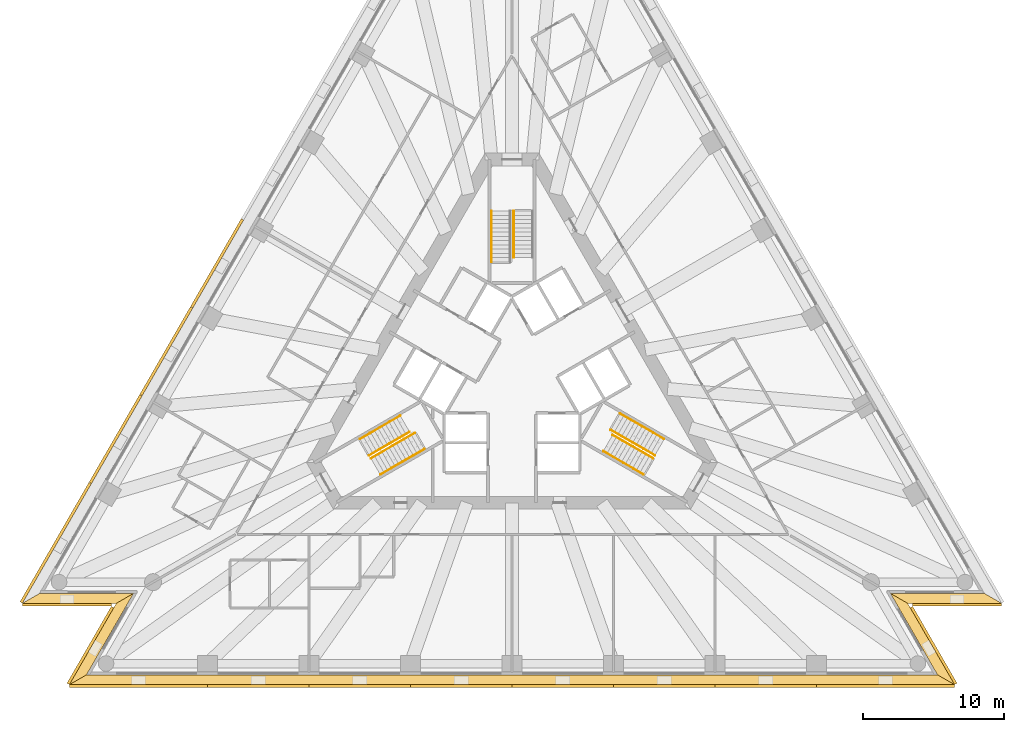
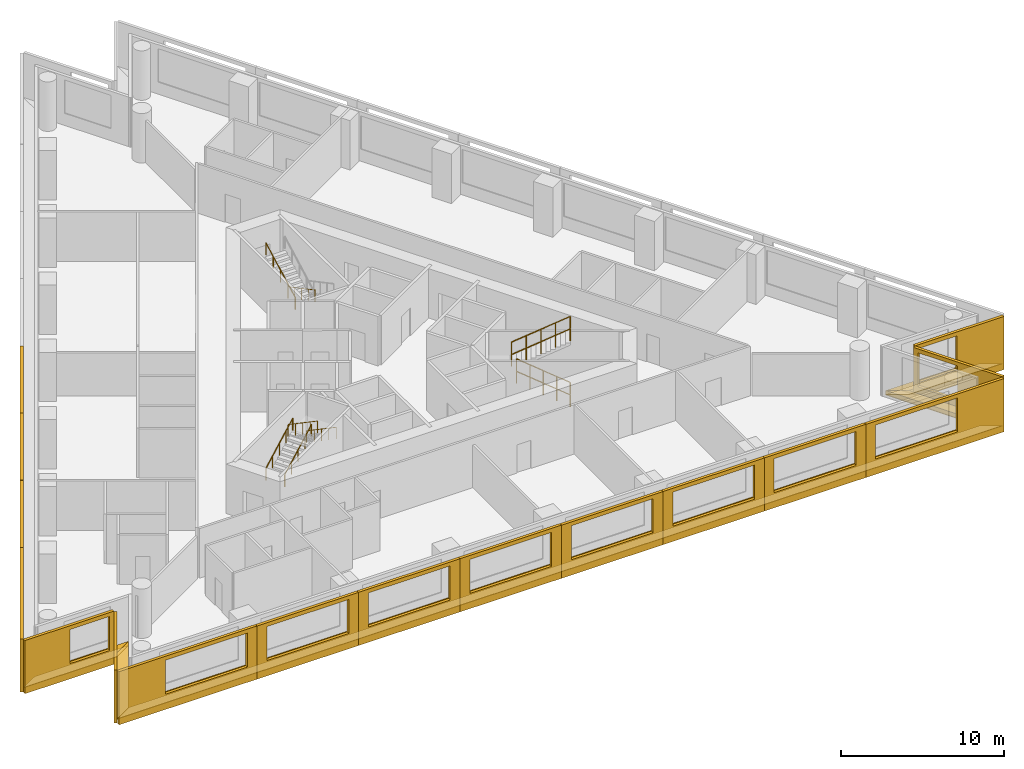
# One storey, part 10 of 11: 21 shading devices, 10 railings, 5 coverings, 3 elements without a shape of their own.
"""IFC4 building model written with IfcOpenShell, lengths in metres."""

from ifc_helpers import new_model, si_unit, direction, frame, origin, origin_2d, place, context, subcontext, project, spatial, polyline, circle, outline, extrude, material, layer, layer_set, layer_usage, type_object, element, aggregate, save


model = new_model("IFC4")

# Units and contexts
model_context = context("Model", 3, precision=1e-05, world=origin(), true_north=direction((0.0, 1.0)))
body_context = subcontext(model_context, "Body", "Model", "MODEL_VIEW")
ifc_project = project(units=[si_unit("LENGTHUNIT", "METRE"), si_unit("AREAUNIT", "SQUARE_METRE"), si_unit("VOLUMEUNIT", "CUBIC_METRE"), si_unit("PLANEANGLEUNIT", "RADIAN"), si_unit("MASSUNIT", "GRAM", prefix="KILO")], contexts=[model_context])

# Site, building, storey
site_placement = place(None, origin())
site = spatial("IfcSite", under=ifc_project, at=site_placement, CompositionType="ELEMENT")
building_placement = place(site_placement, origin())
building = spatial("IfcBuilding", under=site, at=building_placement, Name="Triada Interchange Tower", CompositionType="ELEMENT")
storey_placement = place(building_placement, frame((0.0, 0.0, 83.300048828125)))
storey = spatial("IfcBuildingStorey", under=building, at=storey_placement, Name="L18", CompositionType="ELEMENT", Elevation=83.300048828125)

# Coverings
ifc_material_1 = material(Name="Mineral fire-stop board")
ifc_layer_1 = layer(ifc_material_1, 0.0400390625, Name="Mineral fire-stop board")
ifc_material_2 = material(Name="Intumescent sealant")
ifc_layer_2 = layer(ifc_material_2, 0.010009765625, Name="Intumescent seal")
ifc_layer_set_1 = layer_set([ifc_layer_1, ifc_layer_2], Name="Cavity fire stop")
ifc_layer_usage = layer_usage(ifc_layer_set_1, "AXIS3", "POSITIVE", 0.0)
covering_type = type_object("IfcCoveringType", Name="Cavity fire stop", PredefinedType="INSULATION", material=ifc_layer_set_1)
covering_1_placement = place(storey_placement, origin())
element("IfcCovering", 1, at=covering_1_placement, inside=storey, type_object=covering_type, material=ifc_layer_usage, Name="Cavity fire stop L18 SW-1", PredefinedType="INSULATION", context=body_context, shape_type="SweptSolid", body=[
    extrude(outline(polyline([(-33.445068359375, -15.469970703125), (-34.656982421875, -16.169921875), (-28.007080078125, -16.169921875), (-26.794921875, -15.469970703125), (-33.445068359375, -15.469970703125)])), origin(), (0.0, 0.0, 1.0), 0.050048828125),
])
covering_2_placement = place(storey_placement, origin())
element("IfcCovering", 2, at=covering_2_placement, inside=storey, type_object=covering_type, material=ifc_layer_usage, Name="Cavity fire stop L18 SW-2", PredefinedType="INSULATION", context=body_context, shape_type="SweptSolid", body=[
    extrude(outline(polyline([(-26.794921875, -15.469970703125), (-28.007080078125, -16.169921875), (-31.33203125, -21.928955078125), (-30.1201171875, -21.22900390625), (-26.794921875, -15.469970703125)])), origin(), (0.0, 0.0, 1.0), 0.050048828125),
])
covering_3_placement = place(storey_placement, origin())
element("IfcCovering", 3, at=covering_3_placement, inside=storey, type_object=covering_type, material=ifc_layer_usage, Name="Cavity fire stop L18 S", PredefinedType="INSULATION", context=body_context, shape_type="SweptSolid", body=[
    extrude(outline(polyline([(-30.1201171875, -21.22900390625), (-31.33203125, -21.928955078125), (31.33203125, -21.928955078125), (30.1201171875, -21.22900390625), (-30.1201171875, -21.22900390625)])), origin(), (0.0, 0.0, 1.0), 0.050048828125),
])
covering_4_placement = place(storey_placement, origin())
element("IfcCovering", 4, at=covering_4_placement, inside=storey, type_object=covering_type, material=ifc_layer_usage, Name="Cavity fire stop L18 SE-1", PredefinedType="INSULATION", context=body_context, shape_type="SweptSolid", body=[
    extrude(outline(polyline([(30.1201171875, -21.22900390625), (31.33203125, -21.928955078125), (28.007080078125, -16.169921875), (26.794921875, -15.469970703125), (30.1201171875, -21.22900390625)])), origin(), (0.0, 0.0, 1.0), 0.050048828125),
])
covering_5_placement = place(storey_placement, origin())
element("IfcCovering", 5, at=covering_5_placement, inside=storey, type_object=covering_type, material=ifc_layer_usage, Name="Cavity fire stop L18 SE-2", PredefinedType="INSULATION", context=body_context, shape_type="SweptSolid", body=[
    extrude(outline(polyline([(26.794921875, -15.469970703125), (28.007080078125, -16.169921875), (34.656982421875, -16.169921875), (33.445068359375, -15.469970703125), (26.794921875, -15.469970703125)])), origin(), (0.0, 0.0, 1.0), 0.050048828125),
])

# Shading devices
ifc_material_3 = material(Name="Aluminium louvre", Category="aluminium")
shading_device_type_1 = type_object("IfcShadingDeviceType", Name="Cavity louvre grille", PredefinedType="JALOUSIE", material=ifc_material_3)
shading_device_1_placement = place(storey_placement, frame((0.0, 0.0, 0.050048828125)))
element("IfcShadingDevice", 6, at=shading_device_1_placement, inside=storey, type_object=shading_device_type_1, Name="Cavity louvre grille L18 SW-1", PredefinedType="JALOUSIE", context=body_context, shape_type="SweptSolid", body=[
    extrude(outline(polyline([(-33.445068359375, -15.469970703125), (-34.656982421875, -16.169921875), (-28.007080078125, -16.169921875), (-26.794921875, -15.469970703125), (-33.445068359375, -15.469970703125)])), origin(), (0.0, 0.0, 1.0), 0.2998046875),
])
shading_device_2_placement = place(storey_placement, frame((0.0, 0.0, 0.050048828125)))
element("IfcShadingDevice", 7, at=shading_device_2_placement, inside=storey, type_object=shading_device_type_1, Name="Cavity louvre grille L18 SW-2", PredefinedType="JALOUSIE", context=body_context, shape_type="SweptSolid", body=[
    extrude(outline(polyline([(-26.794921875, -15.469970703125), (-28.007080078125, -16.169921875), (-31.33203125, -21.928955078125), (-30.1201171875, -21.22900390625), (-26.794921875, -15.469970703125)])), origin(), (0.0, 0.0, 1.0), 0.2998046875),
])
shading_device_3_placement = place(storey_placement, frame((0.0, 0.0, 0.050048828125)))
element("IfcShadingDevice", 8, at=shading_device_3_placement, inside=storey, type_object=shading_device_type_1, Name="Cavity louvre grille L18 S", PredefinedType="JALOUSIE", context=body_context, shape_type="SweptSolid", body=[
    extrude(outline(polyline([(-30.1201171875, -21.22900390625), (-31.33203125, -21.928955078125), (31.33203125, -21.928955078125), (30.1201171875, -21.22900390625), (-30.1201171875, -21.22900390625)])), origin(), (0.0, 0.0, 1.0), 0.2998046875),
])
shading_device_4_placement = place(storey_placement, frame((0.0, 0.0, 0.050048828125)))
element("IfcShadingDevice", 9, at=shading_device_4_placement, inside=storey, type_object=shading_device_type_1, Name="Cavity louvre grille L18 SE-1", PredefinedType="JALOUSIE", context=body_context, shape_type="SweptSolid", body=[
    extrude(outline(polyline([(30.1201171875, -21.22900390625), (31.33203125, -21.928955078125), (28.007080078125, -16.169921875), (26.794921875, -15.469970703125), (30.1201171875, -21.22900390625)])), origin(), (0.0, 0.0, 1.0), 0.2998046875),
])
shading_device_5_placement = place(storey_placement, frame((0.0, 0.0, 0.050048828125)))
element("IfcShadingDevice", 10, at=shading_device_5_placement, inside=storey, type_object=shading_device_type_1, Name="Cavity louvre grille L18 SE-2", PredefinedType="JALOUSIE", context=body_context, shape_type="SweptSolid", body=[
    extrude(outline(polyline([(26.794921875, -15.469970703125), (28.007080078125, -16.169921875), (34.656982421875, -16.169921875), (33.445068359375, -15.469970703125), (26.794921875, -15.469970703125)])), origin(), (0.0, 0.0, 1.0), 0.2998046875),
])
ifc_material_4 = material(Name="Concrete C50/60 precast", Category="concrete")
ifc_layer_3 = layer(ifc_material_4, 0.02001953125, Name="Exposed aggregate face")
ifc_layer_4 = layer(ifc_material_4, 0.179931640625, Name="Precast concrete screen")
ifc_layer_set_2 = layer_set([ifc_layer_3, ifc_layer_4], Name="Outer skin screen panel 3980")
shading_device_type_2 = type_object("IfcShadingDeviceType", Name="Outer skin screen panel 3980", PredefinedType="SHUTTER", material=ifc_layer_set_2)
shading_device_6_placement = place(storey_placement, frame((-18.99609375, 10.9560546875, -0.2900390625), z_axis=(0.0, 0.0, 1.0), x_axis=(-0.499984023993, -0.86603462734, 0.0)))
element("IfcShadingDevice", 11, at=shading_device_6_placement, inside=storey, type_object=shading_device_type_2, Name="Outer skin screen panel L18 05", PredefinedType="SHUTTER", context=body_context, shape_type="SweptSolid", body=[
    extrude(outline(polyline([(0.0, 0.0), (7.163818359375, 0.0), (7.163818359375, 3.97998046875), (0.0, 3.97998046875), (0.0, 0.0)]), holes=[polyline([(0.681396484375, 1.139892578125), (0.681396484375, 3.68994140625), (6.4814453125, 3.68994140625), (6.4814453125, 1.139892578125), (0.681396484375, 1.139892578125)])]), frame((0.0, 0.0, 0.0), z_axis=(0.0, -1.0, 0.0), x_axis=(1.0, 0.0, 0.0)), (0.0, 0.0, 1.0), 0.199951171875),
])
shading_device_7_placement = place(storey_placement, frame((-22.587890625, 4.735107421875, -0.2900390625), z_axis=(0.0, 0.0, 1.0), x_axis=(-0.500009583697, -0.866019870564, 0.0)))
element("IfcShadingDevice", 12, at=shading_device_7_placement, inside=storey, type_object=shading_device_type_2, Name="Outer skin screen panel L18 06", PredefinedType="SHUTTER", context=body_context, shape_type="SweptSolid", body=[
    extrude(outline(polyline([(0.0, 0.0), (7.163818359375, 0.0), (7.163818359375, 3.97998046875), (0.0, 3.97998046875), (0.0, 0.0)]), holes=[polyline([(0.681884765625, 1.139892578125), (0.681884765625, 3.68994140625), (6.48193359375, 3.68994140625), (6.48193359375, 1.139892578125), (0.681884765625, 1.139892578125)])]), frame((0.0, 0.0, 0.0), z_axis=(0.0, -1.0, 0.0), x_axis=(1.0, 0.0, 0.0)), (0.0, 0.0, 1.0), 0.199951171875),
])
shading_device_8_placement = place(storey_placement, frame((-26.179931640625, -1.486083984375, -0.2900390625), z_axis=(0.0, 0.0, 1.0), x_axis=(-0.499922093299, -0.866070378567, 0.0)))
element("IfcShadingDevice", 13, at=shading_device_8_placement, inside=storey, type_object=shading_device_type_2, Name="Outer skin screen panel L18 07", PredefinedType="SHUTTER", context=body_context, shape_type="SweptSolid", body=[
    extrude(outline(polyline([(0.0, 0.0), (7.163330078125, 0.0), (7.163330078125, 3.97998046875), (0.0, 3.97998046875), (0.0, 0.0)]), holes=[polyline([(0.681396484375, 1.139892578125), (0.681396484375, 3.68994140625), (6.4814453125, 3.68994140625), (6.4814453125, 1.139892578125), (0.681396484375, 1.139892578125)])]), frame((0.0, 0.0, 0.0), z_axis=(0.0, -1.0, 0.0), x_axis=(1.0, 0.0, 0.0)), (0.0, 0.0, 1.0), 0.199951171875),
])
shading_device_9_placement = place(storey_placement, frame((-29.77099609375, -7.70703125, -0.2900390625), z_axis=(0.0, 0.0, 1.0), x_axis=(-0.500020487159, -0.866013575194, 0.0)))
element("IfcShadingDevice", 14, at=shading_device_9_placement, inside=storey, type_object=shading_device_type_2, Name="Outer skin screen panel L18 08", PredefinedType="SHUTTER", context=body_context, shape_type="SweptSolid", body=[
    extrude(outline(polyline([(0.0, 0.0), (9.76171875, 0.0), (9.76171875, 3.97998046875), (0.0, 3.97998046875), (0.0, 0.0)]), holes=[polyline([(0.681884765625, 1.139892578125), (0.681884765625, 3.68994140625), (6.481689453125, 3.68994140625), (6.481689453125, 1.139892578125), (0.681884765625, 1.139892578125)])]), frame((0.0, 0.0, 0.0), z_axis=(0.0, -1.0, 0.0), x_axis=(1.0, 0.0, 0.0)), (0.0, 0.0, 1.0), 0.199951171875),
])
shading_device_10_placement = place(storey_placement, frame((-34.64697265625, -16.169921875, -0.2900390625), z_axis=(0.0, 0.0, 1.0), x_axis=(1.0, 0.0, 0.0)))
element("IfcShadingDevice", 15, at=shading_device_10_placement, inside=storey, type_object=shading_device_type_2, Name="Outer skin screen panel L18 09", PredefinedType="SHUTTER", context=body_context, shape_type="SweptSolid", body=[
    extrude(outline(polyline([(0.0, 0.0), (6.282958984375, 0.0), (6.282958984375, 3.97998046875), (0.0, 3.97998046875), (0.0, 0.0)]), holes=[polyline([(3.175048828125, 1.139892578125), (3.175048828125, 3.68994140625), (5.98291015625, 3.68994140625), (5.98291015625, 1.139892578125), (3.175048828125, 1.139892578125)])]), frame((0.0, 0.0, 0.0), z_axis=(0.0, -1.0, 0.0), x_axis=(1.0, 0.0, 0.0)), (0.0, 0.0, 1.0), 0.199951171875),
])
shading_device_11_placement = place(storey_placement, frame((-28.18603515625, -16.47900390625, -0.2900390625), z_axis=(0.0, 0.0, 1.0), x_axis=(-0.499946717738, -0.866056164128, 0.0)))
element("IfcShadingDevice", 16, at=shading_device_11_placement, inside=storey, type_object=shading_device_type_2, Name="Outer skin screen panel L18 10", PredefinedType="SHUTTER", context=body_context, shape_type="SweptSolid", body=[
    extrude(outline(polyline([(0.0, 0.0), (6.282470703125, 0.0), (6.282470703125, 3.97998046875), (0.0, 3.97998046875), (0.0, 0.0)]), holes=[polyline([(0.300048828125, 1.139892578125), (0.300048828125, 3.68994140625), (2.9580078125, 3.68994140625), (2.9580078125, 1.139892578125), (0.300048828125, 1.139892578125)])]), frame((0.0, 0.0, 0.0), z_axis=(0.0, -1.0, 0.0), x_axis=(1.0, 0.0, 0.0)), (0.0, 0.0, 1.0), 0.199951171875),
])
shading_device_12_placement = place(storey_placement, frame((-31.322021484375, -21.928955078125, -0.2900390625), z_axis=(0.0, 0.0, 1.0), x_axis=(1.0, 0.0, 0.0)))
element("IfcShadingDevice", 17, at=shading_device_12_placement, inside=storey, type_object=shading_device_type_2, Name="Outer skin screen panel L18 11", PredefinedType="SHUTTER", context=body_context, shape_type="SweptSolid", body=[
    extrude(outline(polyline([(0.0, 0.0), (9.761962890625, 0.0), (9.761962890625, 3.97998046875), (0.0, 3.97998046875), (0.0, 0.0)]), holes=[polyline([(3.280029296875, 1.139892578125), (3.280029296875, 3.68994140625), (9.080078125, 3.68994140625), (9.080078125, 1.139892578125), (3.280029296875, 1.139892578125)])]), frame((0.0, 0.0, 0.0), z_axis=(0.0, -1.0, 0.0), x_axis=(1.0, 0.0, 0.0)), (0.0, 0.0, 1.0), 0.199951171875),
])
shading_device_13_placement = place(storey_placement, frame((-21.5400390625, -21.928955078125, -0.2900390625), z_axis=(0.0, 0.0, 1.0), x_axis=(1.0, 0.0, 0.0)))
element("IfcShadingDevice", 18, at=shading_device_13_placement, inside=storey, type_object=shading_device_type_2, Name="Outer skin screen panel L18 12", PredefinedType="SHUTTER", context=body_context, shape_type="SweptSolid", body=[
    extrude(outline(polyline([(0.0, 0.0), (7.1630859375, 0.0), (7.1630859375, 3.97998046875), (0.0, 3.97998046875), (0.0, 0.0)]), holes=[polyline([(0.681396484375, 1.139892578125), (0.681396484375, 3.68994140625), (6.4814453125, 3.68994140625), (6.4814453125, 1.139892578125), (0.681396484375, 1.139892578125)])]), frame((0.0, 0.0, 0.0), z_axis=(0.0, -1.0, 0.0), x_axis=(1.0, 0.0, 0.0)), (0.0, 0.0, 1.0), 0.199951171875),
])
shading_device_14_placement = place(storey_placement, frame((-14.35693359375, -21.928955078125, -0.2900390625), z_axis=(0.0, 0.0, 1.0), x_axis=(1.0, 0.0, 0.0)))
element("IfcShadingDevice", 19, at=shading_device_14_placement, inside=storey, type_object=shading_device_type_2, Name="Outer skin screen panel L18 13", PredefinedType="SHUTTER", context=body_context, shape_type="SweptSolid", body=[
    extrude(outline(polyline([(0.0, 0.0), (7.162841796875, 0.0), (7.162841796875, 3.97998046875), (0.0, 3.97998046875), (0.0, 0.0)]), holes=[polyline([(0.681884765625, 1.139892578125), (0.681884765625, 3.68994140625), (6.48193359375, 3.68994140625), (6.48193359375, 1.139892578125), (0.681884765625, 1.139892578125)])]), frame((0.0, 0.0, 0.0), z_axis=(0.0, -1.0, 0.0), x_axis=(1.0, 0.0, 0.0)), (0.0, 0.0, 1.0), 0.199951171875),
])
shading_device_15_placement = place(storey_placement, frame((-7.174072265625, -21.928955078125, -0.2900390625), z_axis=(0.0, 0.0, 1.0), x_axis=(1.0, 0.0, 0.0)))
element("IfcShadingDevice", 20, at=shading_device_15_placement, inside=storey, type_object=shading_device_type_2, Name="Outer skin screen panel L18 14", PredefinedType="SHUTTER", context=body_context, shape_type="SweptSolid", body=[
    extrude(outline(polyline([(0.0, 0.0), (7.1640625, 0.0), (7.1640625, 3.97998046875), (0.0, 3.97998046875), (0.0, 0.0)]), holes=[polyline([(0.681396484375, 1.139892578125), (0.681396484375, 3.68994140625), (6.4814453125, 3.68994140625), (6.4814453125, 1.139892578125), (0.681396484375, 1.139892578125)])]), frame((0.0, 0.0, 0.0), z_axis=(0.0, -1.0, 0.0), x_axis=(1.0, 0.0, 0.0)), (0.0, 0.0, 1.0), 0.199951171875),
])
shading_device_16_placement = place(storey_placement, frame((0.010009765625, -21.928955078125, -0.2900390625), z_axis=(0.0, 0.0, 1.0), x_axis=(1.0, 0.0, 0.0)))
element("IfcShadingDevice", 21, at=shading_device_16_placement, inside=storey, type_object=shading_device_type_2, Name="Outer skin screen panel L18 15", PredefinedType="SHUTTER", context=body_context, shape_type="SweptSolid", body=[
    extrude(outline(polyline([(0.0, 0.0), (7.1640625, 0.0), (7.1640625, 3.97998046875), (0.0, 3.97998046875), (0.0, 0.0)]), holes=[polyline([(0.681884765625, 1.139892578125), (0.681884765625, 3.68994140625), (6.48193359375, 3.68994140625), (6.48193359375, 1.139892578125), (0.681884765625, 1.139892578125)])]), frame((0.0, 0.0, 0.0), z_axis=(0.0, -1.0, 0.0), x_axis=(1.0, 0.0, 0.0)), (0.0, 0.0, 1.0), 0.199951171875),
])
shading_device_17_placement = place(storey_placement, frame((7.194091796875, -21.928955078125, -0.2900390625), z_axis=(0.0, 0.0, 1.0), x_axis=(1.0, 0.0, 0.0)))
element("IfcShadingDevice", 22, at=shading_device_17_placement, inside=storey, type_object=shading_device_type_2, Name="Outer skin screen panel L18 16", PredefinedType="SHUTTER", context=body_context, shape_type="SweptSolid", body=[
    extrude(outline(polyline([(0.0, 0.0), (7.162841796875, 0.0), (7.162841796875, 3.97998046875), (0.0, 3.97998046875), (0.0, 0.0)]), holes=[polyline([(0.681396484375, 1.139892578125), (0.681396484375, 3.68994140625), (6.4814453125, 3.68994140625), (6.4814453125, 1.139892578125), (0.681396484375, 1.139892578125)])]), frame((0.0, 0.0, 0.0), z_axis=(0.0, -1.0, 0.0), x_axis=(1.0, 0.0, 0.0)), (0.0, 0.0, 1.0), 0.199951171875),
])
shading_device_18_placement = place(storey_placement, frame((14.376953125, -21.928955078125, -0.2900390625), z_axis=(0.0, 0.0, 1.0), x_axis=(1.0, 0.0, 0.0)))
element("IfcShadingDevice", 23, at=shading_device_18_placement, inside=storey, type_object=shading_device_type_2, Name="Outer skin screen panel L18 17", PredefinedType="SHUTTER", context=body_context, shape_type="SweptSolid", body=[
    extrude(outline(polyline([(0.0, 0.0), (7.1630859375, 0.0), (7.1630859375, 3.97998046875), (0.0, 3.97998046875), (0.0, 0.0)]), holes=[polyline([(0.681884765625, 1.139892578125), (0.681884765625, 3.68994140625), (6.48193359375, 3.68994140625), (6.48193359375, 1.139892578125), (0.681884765625, 1.139892578125)])]), frame((0.0, 0.0, 0.0), z_axis=(0.0, -1.0, 0.0), x_axis=(1.0, 0.0, 0.0)), (0.0, 0.0, 1.0), 0.199951171875),
])
shading_device_19_placement = place(storey_placement, frame((21.56005859375, -21.928955078125, -0.2900390625), z_axis=(0.0, 0.0, 1.0), x_axis=(1.0, 0.0, 0.0)))
element("IfcShadingDevice", 24, at=shading_device_19_placement, inside=storey, type_object=shading_device_type_2, Name="Outer skin screen panel L18 18", PredefinedType="SHUTTER", context=body_context, shape_type="SweptSolid", body=[
    extrude(outline(polyline([(0.0, 0.0), (9.761962890625, 0.0), (9.761962890625, 3.97998046875), (0.0, 3.97998046875), (0.0, 0.0)]), holes=[polyline([(0.681396484375, 1.139892578125), (0.681396484375, 3.68994140625), (6.4814453125, 3.68994140625), (6.4814453125, 1.139892578125), (0.681396484375, 1.139892578125)])]), frame((0.0, 0.0, 0.0), z_axis=(0.0, -1.0, 0.0), x_axis=(1.0, 0.0, 0.0)), (0.0, 0.0, 1.0), 0.199951171875),
])
shading_device_20_placement = place(storey_placement, frame((31.326904296875, -21.919921875, -0.2900390625), z_axis=(0.0, 0.0, 1.0), x_axis=(-0.499946717738, 0.866056164128, 0.0)))
element("IfcShadingDevice", 25, at=shading_device_20_placement, inside=storey, type_object=shading_device_type_2, Name="Outer skin screen panel L18 19", PredefinedType="SHUTTER", context=body_context, shape_type="SweptSolid", body=[
    extrude(outline(polyline([(0.0, 0.0), (6.282470703125, 0.0), (6.282470703125, 3.97998046875), (0.0, 3.97998046875), (0.0, 0.0)]), holes=[polyline([(3.17529296875, 1.139892578125), (3.17529296875, 3.68994140625), (5.983154296875, 3.68994140625), (5.983154296875, 1.139892578125), (3.17529296875, 1.139892578125)])]), frame((0.0, 0.0, 0.0), z_axis=(0.0, -1.0, 0.0), x_axis=(1.0, 0.0, 0.0)), (0.0, 0.0, 1.0), 0.199951171875),
])
shading_device_21_placement = place(storey_placement, frame((28.364013671875, -16.169921875, -0.2900390625), z_axis=(0.0, 0.0, 1.0), x_axis=(1.0, 0.0, 0.0)))
element("IfcShadingDevice", 26, at=shading_device_21_placement, inside=storey, type_object=shading_device_type_2, Name="Outer skin screen panel L18 20", PredefinedType="SHUTTER", context=body_context, shape_type="SweptSolid", body=[
    extrude(outline(polyline([(0.0, 0.0), (6.282958984375, 0.0), (6.282958984375, 3.97998046875), (0.0, 3.97998046875), (0.0, 0.0)]), holes=[polyline([(0.300048828125, 1.139892578125), (0.300048828125, 3.68994140625), (2.9580078125, 3.68994140625), (2.9580078125, 1.139892578125), (0.300048828125, 1.139892578125)])]), frame((0.0, 0.0, 0.0), z_axis=(0.0, -1.0, 0.0), x_axis=(1.0, 0.0, 0.0)), (0.0, 0.0, 1.0), 0.199951171875),
])

# Stair, railings
ifc_material_5 = material(Name="Concrete C35/45", Category="concrete")
stair_type = type_object("IfcStairType", Name="HALF TURN STAIR 1400", PredefinedType="HALF_TURN_STAIR", material=ifc_material_5)
stair_1_placement = place(storey_placement, origin())
stair_1 = element("IfcStair", 27, at=stair_1_placement, inside=storey, type_object=stair_type, Name="Exit stair S18-1", PredefinedType="HALF_TURN_STAIR")
ifc_material_6 = material(Name="Stainless steel 1.4301", Category="steel")
railing_type = type_object("IfcRailingType", Name="STAIR HANDRAIL 900", PredefinedType="HANDRAIL", material=ifc_material_6)
railing_1_placement = place(storey_placement, frame((0.1201171875, 11.60009765625, 0.159912109375)))
railing_1 = element("IfcRailing", 28, at=railing_1_placement, type_object=railing_type, Name="Handrail S18-1 1C", PredefinedType="HANDRAIL", context=body_context, shape_type="SweptSolid", body=[
    extrude(circle(Radius=0.02392578125, at=origin_2d()), frame((0.0, 0.0, 0.8759765625), z_axis=(0.0, -0.882354748157, 0.47058484719), x_axis=(1.0, 0.0, 0.0)), (0.0, 0.0, 1.0), 3.739990234375),
    extrude(circle(Radius=0.02099609375, at=origin_2d()), origin(), (0.0, 0.0, 1.0), 0.851806640625),
    extrude(circle(Radius=0.02099609375, at=origin_2d()), frame((0.0, -0.824951171875, 0.43994140625)), (0.0, 0.0, 1.0), 0.851806640625),
    extrude(circle(Radius=0.02099609375, at=origin_2d()), frame((0.0, -1.64990234375, 0.8798828125)), (0.0, 0.0, 1.0), 0.851806640625),
    extrude(circle(Radius=0.02099609375, at=origin_2d()), frame((0.0, -2.47509765625, 1.320068359375)), (0.0, 0.0, 1.0), 0.851806640625),
    extrude(circle(Radius=0.02099609375, at=origin_2d()), frame((0.0, -3.300048828125, 1.760009765625)), (0.0, 0.0, 1.0), 0.851806640625),
])
railing_2_placement = place(storey_placement, frame((-1.449951171875, 8.0, 2.079833984375)))
railing_2 = element("IfcRailing", 29, at=railing_2_placement, type_object=railing_type, Name="Handrail S18-1 2W", PredefinedType="HANDRAIL", context=body_context, shape_type="SweptSolid", body=[
    extrude(circle(Radius=0.02392578125, at=origin_2d()), frame((0.0, 0.0, 0.8759765625), z_axis=(0.0, 0.882341346394, 0.470609974867), x_axis=(-1.0, 0.0, 0.0)), (0.0, 0.0, 1.0), 4.080078125),
    extrude(circle(Radius=0.02099609375, at=origin_2d()), origin(), (0.0, 0.0, 1.0), 0.851806640625),
    extrude(circle(Radius=0.02099609375, at=origin_2d()), frame((0.0, 0.89990234375, 0.47998046875)), (0.0, 0.0, 1.0), 0.851806640625),
    extrude(circle(Radius=0.02099609375, at=origin_2d()), frame((0.0, 1.800048828125, 0.9599609375)), (0.0, 0.0, 1.0), 0.851806640625),
    extrude(circle(Radius=0.02099609375, at=origin_2d()), frame((0.0, 2.7001953125, 1.440185546875)), (0.0, 0.0, 1.0), 0.851806640625),
    extrude(circle(Radius=0.02099609375, at=origin_2d()), frame((0.0, 3.60009765625, 1.920166015625)), (0.0, 0.0, 1.0), 0.851806640625),
])
aggregate(stair_1, [railing_1, railing_2])

stair_2_placement = place(storey_placement, origin())
stair_2 = element("IfcStair", 30, at=stair_2_placement, inside=storey, type_object=stair_type, Name="Exit stair S18-2", PredefinedType="HALF_TURN_STAIR")
railing_3_placement = place(storey_placement, frame((-10.77099609375, -4.5439453125, 0.159912109375)))
railing_3 = element("IfcRailing", 31, at=railing_3_placement, type_object=railing_type, Name="Handrail S18-2 1W", PredefinedType="HANDRAIL", context=body_context, shape_type="SweptSolid", body=[
    extrude(circle(Radius=0.02392578125, at=origin_2d()), frame((0.0, 0.0, 0.8759765625), z_axis=(0.764150854273, 0.441152526326, 0.470593158077), x_axis=(-0.499974350878, 0.866040211805, 0.0)), (0.0, 0.0, 1.0), 3.739990234375),
    extrude(circle(Radius=0.02099609375, at=origin_2d()), origin(), (0.0, 0.0, 1.0), 0.851806640625),
    extrude(circle(Radius=0.02099609375, at=origin_2d()), frame((0.71435546875, 0.41259765625, 0.43994140625)), (0.0, 0.0, 1.0), 0.851806640625),
    extrude(circle(Radius=0.02099609375, at=origin_2d()), frame((1.428955078125, 0.824951171875, 0.8798828125)), (0.0, 0.0, 1.0), 0.851806640625),
    extrude(circle(Radius=0.02099609375, at=origin_2d()), frame((2.1435546875, 1.2373046875, 1.320068359375)), (0.0, 0.0, 1.0), 0.851806640625),
    extrude(circle(Radius=0.02099609375, at=origin_2d()), frame((2.85791015625, 1.64990234375, 1.760009765625)), (0.0, 0.0, 1.0), 0.851806640625),
])
railing_4_placement = place(storey_placement, frame((-10.10595703125, -5.696044921875, 0.159912109375)))
railing_4 = element("IfcRailing", 32, at=railing_4_placement, type_object=railing_type, Name="Handrail S18-2 1C", PredefinedType="HANDRAIL", context=body_context, shape_type="SweptSolid", body=[
    extrude(circle(Radius=0.02392578125, at=origin_2d()), frame((0.0, 0.0, 0.8759765625), z_axis=(0.76412884773, 0.441205098395, 0.470579605611), x_axis=(-0.50002983664, 0.866008176907, 0.0)), (0.0, 0.0, 1.0), 3.739990234375),
    extrude(circle(Radius=0.02099609375, at=origin_2d()), origin(), (0.0, 0.0, 1.0), 0.851806640625),
    extrude(circle(Radius=0.02099609375, at=origin_2d()), frame((0.71435546875, 0.41259765625, 0.43994140625)), (0.0, 0.0, 1.0), 0.851806640625),
    extrude(circle(Radius=0.02099609375, at=origin_2d()), frame((1.428955078125, 0.8251953125, 0.8798828125)), (0.0, 0.0, 1.0), 0.851806640625),
    extrude(circle(Radius=0.02099609375, at=origin_2d()), frame((2.1435546875, 1.237548828125, 1.320068359375)), (0.0, 0.0, 1.0), 0.851806640625),
    extrude(circle(Radius=0.02099609375, at=origin_2d()), frame((2.85791015625, 1.650146484375, 1.760009765625)), (0.0, 0.0, 1.0), 0.851806640625),
])
railing_5_placement = place(storey_placement, frame((-6.202880859375, -5.256103515625, 2.079833984375)))
railing_5 = element("IfcRailing", 33, at=railing_5_placement, type_object=railing_type, Name="Handrail S18-2 2W", PredefinedType="HANDRAIL", context=body_context, shape_type="SweptSolid", body=[
    extrude(circle(Radius=0.02392578125, at=origin_2d()), frame((0.0, 0.0, 0.8759765625), z_axis=(-0.764189758314, -0.441090424232, 0.470588196769), x_axis=(0.499902469156, -0.866081705922, 0.0)), (0.0, 0.0, 1.0), 4.080322265625),
    extrude(circle(Radius=0.02099609375, at=origin_2d()), origin(), (0.0, 0.0, 1.0), 0.851806640625),
    extrude(circle(Radius=0.02099609375, at=origin_2d()), frame((-0.779541015625, -0.449951171875, 0.47998046875)), (0.0, 0.0, 1.0), 0.851806640625),
    extrude(circle(Radius=0.02099609375, at=origin_2d()), frame((-1.55908203125, -0.89990234375, 0.9599609375)), (0.0, 0.0, 1.0), 0.851806640625),
    extrude(circle(Radius=0.02099609375, at=origin_2d()), frame((-2.338623046875, -1.349853515625, 1.440185546875)), (0.0, 0.0, 1.0), 0.851806640625),
    extrude(circle(Radius=0.02099609375, at=origin_2d()), frame((-3.1181640625, -1.7998046875, 1.920166015625)), (0.0, 0.0, 1.0), 0.851806640625),
])
railing_6_placement = place(storey_placement, frame((-6.867919921875, -4.10400390625, 2.079833984375)))
railing_6 = element("IfcRailing", 34, at=railing_6_placement, type_object=railing_type, Name="Handrail S18-2 2C", PredefinedType="HANDRAIL", context=body_context, shape_type="SweptSolid", body=[
    extrude(circle(Radius=0.02392578125, at=origin_2d()), frame((0.0, 0.0, 0.8759765625), z_axis=(-0.764169589359, -0.441138614339, 0.470575776723), x_axis=(0.49995333141, -0.866052346231, 0.0)), (0.0, 0.0, 1.0), 4.08056640625),
    extrude(circle(Radius=0.02099609375, at=origin_2d()), origin(), (0.0, 0.0, 1.0), 0.851806640625),
    extrude(circle(Radius=0.02099609375, at=origin_2d()), frame((-0.779541015625, -0.449951171875, 0.47998046875)), (0.0, 0.0, 1.0), 0.851806640625),
    extrude(circle(Radius=0.02099609375, at=origin_2d()), frame((-1.55908203125, -0.89990234375, 0.9599609375)), (0.0, 0.0, 1.0), 0.851806640625),
    extrude(circle(Radius=0.02099609375, at=origin_2d()), frame((-2.338623046875, -1.35009765625, 1.440185546875)), (0.0, 0.0, 1.0), 0.851806640625),
    extrude(circle(Radius=0.02099609375, at=origin_2d()), frame((-3.1181640625, -1.800048828125, 1.920166015625)), (0.0, 0.0, 1.0), 0.851806640625),
])
aggregate(stair_2, [railing_3, railing_4, railing_5, railing_6])

stair_3_placement = place(storey_placement, origin())
stair_3 = element("IfcStair", 35, at=stair_3_placement, inside=storey, type_object=stair_type, Name="Exit stair S18-3", PredefinedType="HALF_TURN_STAIR")
railing_7_placement = place(storey_placement, frame((9.321044921875, -7.055908203125, 0.159912109375)))
railing_7 = element("IfcRailing", 36, at=railing_7_placement, type_object=railing_type, Name="Handrail S18-3 1W", PredefinedType="HANDRAIL", context=body_context, shape_type="SweptSolid", body=[
    extrude(circle(Radius=0.02392578125, at=origin_2d()), frame((0.0, 0.0, 0.8759765625), z_axis=(-0.764178012919, 0.441130521168, 0.470569684388), x_axis=(-0.499942318283, -0.866058703778, 0.0)), (0.0, 0.0, 1.0), 3.740234375),
    extrude(circle(Radius=0.02099609375, at=origin_2d()), origin(), (0.0, 0.0, 1.0), 0.851806640625),
    extrude(circle(Radius=0.02099609375, at=origin_2d()), frame((-0.714599609375, 0.41259765625, 0.43994140625)), (0.0, 0.0, 1.0), 0.851806640625),
    extrude(circle(Radius=0.02099609375, at=origin_2d()), frame((-1.42919921875, 0.824951171875, 0.8798828125)), (0.0, 0.0, 1.0), 0.851806640625),
    extrude(circle(Radius=0.02099609375, at=origin_2d()), frame((-2.1435546875, 1.2373046875, 1.320068359375)), (0.0, 0.0, 1.0), 0.851806640625),
    extrude(circle(Radius=0.02099609375, at=origin_2d()), frame((-2.858154296875, 1.64990234375, 1.760009765625)), (0.0, 0.0, 1.0), 0.851806640625),
])
railing_8_placement = place(storey_placement, frame((9.986083984375, -5.904052734375, 0.159912109375)))
railing_8 = element("IfcRailing", 37, at=railing_8_placement, type_object=railing_type, Name="Handrail S18-3 1C", PredefinedType="HANDRAIL", context=body_context, shape_type="SweptSolid", body=[
    extrude(circle(Radius=0.02392578125, at=origin_2d()), frame((0.0, 0.0, 0.8759765625), z_axis=(-0.764156007789, 0.441183091881, 0.47055613395), x_axis=(-0.49999780286, -0.8660266723, 0.0)), (0.0, 0.0, 1.0), 3.740234375),
    extrude(circle(Radius=0.02099609375, at=origin_2d()), origin(), (0.0, 0.0, 1.0), 0.851806640625),
    extrude(circle(Radius=0.02099609375, at=origin_2d()), frame((-0.714599609375, 0.41259765625, 0.43994140625)), (0.0, 0.0, 1.0), 0.851806640625),
    extrude(circle(Radius=0.02099609375, at=origin_2d()), frame((-1.42919921875, 0.8251953125, 0.8798828125)), (0.0, 0.0, 1.0), 0.851806640625),
    extrude(circle(Radius=0.02099609375, at=origin_2d()), frame((-2.1435546875, 1.237548828125, 1.320068359375)), (0.0, 0.0, 1.0), 0.851806640625),
    extrude(circle(Radius=0.02099609375, at=origin_2d()), frame((-2.858154296875, 1.650146484375, 1.760009765625)), (0.0, 0.0, 1.0), 0.851806640625),
])
railing_9_placement = place(storey_placement, frame((7.653076171875, -2.743896484375, 2.079833984375)))
railing_9 = element("IfcRailing", 38, at=railing_9_placement, type_object=railing_type, Name="Handrail S18-3 2W", PredefinedType="HANDRAIL", context=body_context, shape_type="SweptSolid", body=[
    extrude(circle(Radius=0.02392578125, at=origin_2d()), frame((0.0, 0.0, 0.8759765625), z_axis=(0.76414469501, -0.441158784458, 0.470597292793), x_axis=(0.499982693035, 0.866035395735, 0.0)), (0.0, 0.0, 1.0), 4.080322265625),
    extrude(circle(Radius=0.02099609375, at=origin_2d()), origin(), (0.0, 0.0, 1.0), 0.851806640625),
    extrude(circle(Radius=0.02099609375, at=origin_2d()), frame((0.779541015625, -0.449951171875, 0.47998046875)), (0.0, 0.0, 1.0), 0.851806640625),
    extrude(circle(Radius=0.02099609375, at=origin_2d()), frame((1.55908203125, -0.89990234375, 0.9599609375)), (0.0, 0.0, 1.0), 0.851806640625),
    extrude(circle(Radius=0.02099609375, at=origin_2d()), frame((2.33837890625, -1.35009765625, 1.440185546875)), (0.0, 0.0, 1.0), 0.851806640625),
    extrude(circle(Radius=0.02099609375, at=origin_2d()), frame((3.117919921875, -1.800048828125, 1.920166015625)), (0.0, 0.0, 1.0), 0.851806640625),
])
railing_10_placement = place(storey_placement, frame((6.988037109375, -3.89599609375, 2.079833984375)))
railing_10 = element("IfcRailing", 39, at=railing_10_placement, type_object=railing_type, Name="Handrail S18-3 2C", PredefinedType="HANDRAIL", context=body_context, shape_type="SweptSolid", body=[
    extrude(circle(Radius=0.02392578125, at=origin_2d()), frame((0.0, 0.0, 0.8759765625), z_axis=(0.76414469501, -0.441158784458, 0.470597292793), x_axis=(0.499982693035, 0.866035395735, 0.0)), (0.0, 0.0, 1.0), 4.080322265625),
    extrude(circle(Radius=0.02099609375, at=origin_2d()), origin(), (0.0, 0.0, 1.0), 0.851806640625),
    extrude(circle(Radius=0.02099609375, at=origin_2d()), frame((0.779541015625, -0.449951171875, 0.47998046875)), (0.0, 0.0, 1.0), 0.851806640625),
    extrude(circle(Radius=0.02099609375, at=origin_2d()), frame((1.55908203125, -0.89990234375, 0.9599609375)), (0.0, 0.0, 1.0), 0.851806640625),
    extrude(circle(Radius=0.02099609375, at=origin_2d()), frame((2.33837890625, -1.35009765625, 1.440185546875)), (0.0, 0.0, 1.0), 0.851806640625),
    extrude(circle(Radius=0.02099609375, at=origin_2d()), frame((3.117919921875, -1.800048828125, 1.920166015625)), (0.0, 0.0, 1.0), 0.851806640625),
])
aggregate(stair_3, [railing_7, railing_8, railing_9, railing_10])

save(model, "model.ifc")
